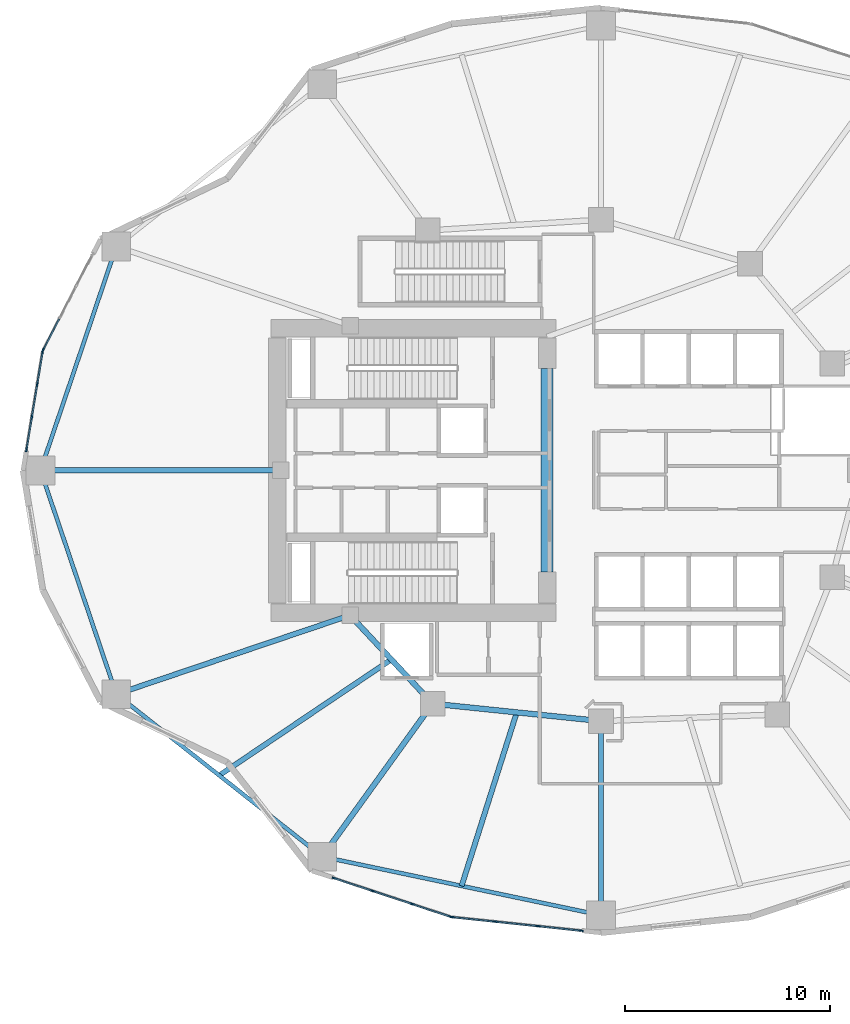
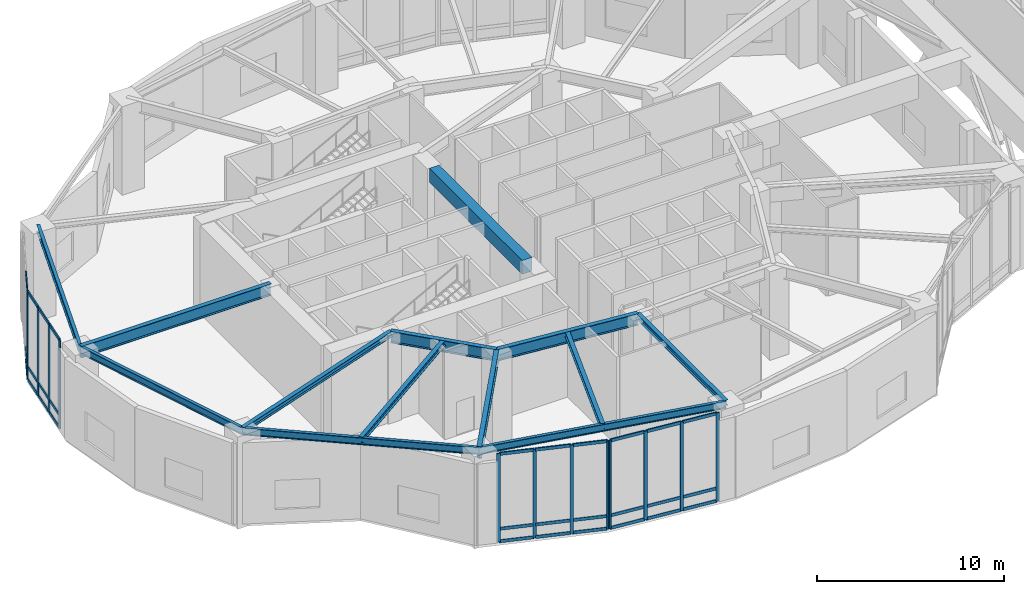
# One storey, part 5 of 25: 43 members, 13 beams, 4 elements without a shape of their own.
"""IFC4 building model written with IfcOpenShell, lengths in metres."""

from ifc_helpers import new_model, si_unit, direction, frame, origin, origin_2d, place, context, subcontext, project, spatial, rectangle, i_section, extrude, material, layer, layer_set, material_profile, profile_set, type_object, element, aggregate, save


model = new_model("IFC4")

# Units and contexts
model_context = context("Model", 3, precision=1e-05, world=origin(), true_north=direction((0.0, 1.0)))
body_context = subcontext(model_context, "Body", "Model", "MODEL_VIEW")
ifc_project = project(units=[si_unit("LENGTHUNIT", "METRE"), si_unit("AREAUNIT", "SQUARE_METRE"), si_unit("VOLUMEUNIT", "CUBIC_METRE"), si_unit("PLANEANGLEUNIT", "RADIAN"), si_unit("MASSUNIT", "GRAM", prefix="KILO")], contexts=[model_context])

# Site, building, storey
site_placement = place(None, origin())
site = spatial("IfcSite", under=ifc_project, at=site_placement, CompositionType="ELEMENT")
building_placement = place(site_placement, origin())
building = spatial("IfcBuilding", under=site, at=building_placement, Name="Kolvaren Gate Tower and Convention Centre", CompositionType="ELEMENT")
storey_placement = place(building_placement, frame((0.0, 0.0, 15.0)))
storey = spatial("IfcBuildingStorey", under=building, at=storey_placement, Name="L03", CompositionType="ELEMENT", Elevation=15.0)

# Curtain wall, member
ifc_material_1 = material(Name="Anodized Architectural Aluminium Alloy 6063-T6", Category="aluminium")
ifc_layer = layer(ifc_material_1, 0.179931640625)
ifc_layer_set = layer_set([ifc_layer], Name="Anodized Architectural Aluminium Alloy 6063-T6")
curtain_wall_type = type_object("IfcCurtainWallType", Name="CW-POD-GLZ", PredefinedType="NOTDEFINED", material=ifc_layer_set)
curtain_wall_1_placement = place(storey_placement, origin())
curtain_wall_1 = element("IfcCurtainWall", 1, at=curtain_wall_1_placement, inside=storey, type_object=curtain_wall_type, Name="Tower L03 Unitised Curtain Wall CW-POD-GLZ Bay 10", PredefinedType="NOTDEFINED")
ifc_material_profile_1 = material_profile(ifc_material_1, rectangle(XDim=0.074951171875, YDim=0.199951171875, at=origin_2d()), Name="CW-MEM-MUL-200")
ifc_profile_set_1 = profile_set([ifc_material_profile_1], Name="Anodized Architectural Aluminium Alloy 6063-T6")
member_type_1 = type_object("IfcMemberType", Name="CW-MEM-MUL-200", PredefinedType="MULLION", material=ifc_profile_set_1)
member_1_placement = place(storey_placement, frame((2.9755859375, 32.856689453125, 0.0), z_axis=(0.0, 0.0, 1.0), x_axis=(-0.888028058024, 0.459789264949, 0.0)))
member_1 = element("IfcMember", 2, at=member_1_placement, type_object=member_type_1, Name="CW-01 mullion 1", PredefinedType="MULLION", context=body_context, shape_type="SweptSolid", body=[
    extrude(rectangle(XDim=0.074951171875, YDim=0.199951171875, at=origin_2d()), origin(), (0.0, 0.0, 1.0), 5.760009765625),
])

# Curtain wall, members
curtain_wall_2_placement = place(storey_placement, origin())
curtain_wall_2 = element("IfcCurtainWall", 3, at=curtain_wall_2_placement, inside=storey, type_object=curtain_wall_type, Name="Tower L03 Unitised Curtain Wall CW-POD-GLZ Bay 11", PredefinedType="NOTDEFINED")
member_2_placement = place(storey_placement, frame((2.164794921875, 28.001953125, 0.0), z_axis=(0.0, 0.0, 1.0), x_axis=(-0.986728883059, 0.162376449454, 0.0)))
member_2 = element("IfcMember", 4, at=member_2_placement, type_object=member_type_1, Name="CW-01 mullion 1", PredefinedType="MULLION", context=body_context, shape_type="SweptSolid", body=[
    extrude(rectangle(XDim=0.074951171875, YDim=0.199951171875, at=origin_2d()), origin(), (0.0, 0.0, 1.0), 5.760009765625),
])
member_3_placement = place(storey_placement, frame((2.42529296875, 29.58447265625, 0.0), z_axis=(0.0, 0.0, 1.0), x_axis=(-0.986728883059, 0.162376449454, 0.0)))
member_3 = element("IfcMember", 5, at=member_3_placement, type_object=member_type_1, Name="CW-01 mullion 2", PredefinedType="MULLION", context=body_context, shape_type="SweptSolid", body=[
    extrude(rectangle(XDim=0.074951171875, YDim=0.199951171875, at=origin_2d()), origin(), (0.0, 0.0, 1.0), 5.760009765625),
])
member_4_placement = place(storey_placement, frame((2.69189453125, 31.203857421875, 0.0), z_axis=(0.0, 0.0, 1.0), x_axis=(-0.986728883059, 0.162376449454, 0.0)))
member_4 = element("IfcMember", 6, at=member_4_placement, type_object=member_type_1, Name="CW-01 mullion 3", PredefinedType="MULLION", context=body_context, shape_type="SweptSolid", body=[
    extrude(rectangle(XDim=0.074951171875, YDim=0.199951171875, at=origin_2d()), origin(), (0.0, 0.0, 1.0), 5.760009765625),
])
member_5_placement = place(storey_placement, frame((2.9521484375, 32.786376953125, 0.0), z_axis=(0.0, 0.0, 1.0), x_axis=(-0.986728883059, 0.162376449454, 0.0)))
member_5 = element("IfcMember", 7, at=member_5_placement, type_object=member_type_1, Name="CW-01 mullion 4", PredefinedType="MULLION", context=body_context, shape_type="SweptSolid", body=[
    extrude(rectangle(XDim=0.074951171875, YDim=0.199951171875, at=origin_2d()), origin(), (0.0, 0.0, 1.0), 5.760009765625),
])

curtain_wall_3_placement = place(storey_placement, origin())
curtain_wall_3 = element("IfcCurtainWall", 8, at=curtain_wall_3_placement, inside=storey, type_object=curtain_wall_type, Name="Tower L03 Unitised Curtain Wall CW-POD-GLZ Bay 16", PredefinedType="NOTDEFINED")
member_6_placement = place(storey_placement, frame((17.137451171875, 7.158203125, 0.0), z_axis=(0.0, 0.0, 1.0), x_axis=(0.314546537175, 0.949242053404, 0.0)))
member_6 = element("IfcMember", 9, at=member_6_placement, type_object=member_type_1, Name="CW-01 mullion 1", PredefinedType="MULLION", context=body_context, shape_type="SweptSolid", body=[
    extrude(rectangle(XDim=0.074951171875, YDim=0.199951171875, at=origin_2d()), origin(), (0.0, 0.0, 1.0), 5.760009765625),
])
member_7_placement = place(storey_placement, frame((19.0166015625, 6.53564453125, 0.0), z_axis=(0.0, 0.0, 1.0), x_axis=(0.314546537175, 0.949242053404, 0.0)))
member_7 = element("IfcMember", 10, at=member_7_placement, type_object=member_type_1, Name="CW-01 mullion 2", PredefinedType="MULLION", context=body_context, shape_type="SweptSolid", body=[
    extrude(rectangle(XDim=0.074951171875, YDim=0.199951171875, at=origin_2d()), origin(), (0.0, 0.0, 1.0), 5.760009765625),
])
member_8_placement = place(storey_placement, frame((20.93115234375, 5.901123046875, 0.0), z_axis=(0.0, 0.0, 1.0), x_axis=(0.314546537175, 0.949242053404, 0.0)))
member_8 = element("IfcMember", 11, at=member_8_placement, type_object=member_type_1, Name="CW-01 mullion 3", PredefinedType="MULLION", context=body_context, shape_type="SweptSolid", body=[
    extrude(rectangle(XDim=0.074951171875, YDim=0.199951171875, at=origin_2d()), origin(), (0.0, 0.0, 1.0), 5.760009765625),
])
member_9_placement = place(storey_placement, frame((22.81005859375, 5.278564453125, 0.0), z_axis=(0.0, 0.0, 1.0), x_axis=(0.314546537175, 0.949242053404, 0.0)))
member_9 = element("IfcMember", 12, at=member_9_placement, type_object=member_type_1, Name="CW-01 mullion 4", PredefinedType="MULLION", context=body_context, shape_type="SweptSolid", body=[
    extrude(rectangle(XDim=0.074951171875, YDim=0.199951171875, at=origin_2d()), origin(), (0.0, 0.0, 1.0), 5.760009765625),
])

curtain_wall_4_placement = place(storey_placement, origin())
curtain_wall_4 = element("IfcCurtainWall", 13, at=curtain_wall_4_placement, inside=storey, type_object=curtain_wall_type, Name="Tower L03 Unitised Curtain Wall CW-POD-GLZ Bay 17", PredefinedType="NOTDEFINED")
member_10_placement = place(storey_placement, frame((22.883056640625, 5.2626953125, 0.0), z_axis=(0.0, 0.0, 1.0), x_axis=(0.104741799872, 0.994499449653, 0.0)))
member_10 = element("IfcMember", 14, at=member_10_placement, type_object=member_type_1, Name="CW-01 mullion 1", PredefinedType="MULLION", context=body_context, shape_type="SweptSolid", body=[
    extrude(rectangle(XDim=0.074951171875, YDim=0.199951171875, at=origin_2d()), origin(), (0.0, 0.0, 1.0), 5.760009765625),
])
member_11_placement = place(storey_placement, frame((24.96435546875, 5.04345703125, 0.0), z_axis=(0.0, 0.0, 1.0), x_axis=(0.104741799872, 0.994499449653, 0.0)))
member_11 = element("IfcMember", 15, at=member_11_placement, type_object=member_type_1, Name="CW-01 mullion 2", PredefinedType="MULLION", context=body_context, shape_type="SweptSolid", body=[
    extrude(rectangle(XDim=0.074951171875, YDim=0.199951171875, at=origin_2d()), origin(), (0.0, 0.0, 1.0), 5.760009765625),
])
member_12_placement = place(storey_placement, frame((27.0830078125, 4.8203125, 0.0), z_axis=(0.0, 0.0, 1.0), x_axis=(0.104741799872, 0.994499449653, 0.0)))
member_12 = element("IfcMember", 16, at=member_12_placement, type_object=member_type_1, Name="CW-01 mullion 3", PredefinedType="MULLION", context=body_context, shape_type="SweptSolid", body=[
    extrude(rectangle(XDim=0.074951171875, YDim=0.199951171875, at=origin_2d()), origin(), (0.0, 0.0, 1.0), 5.760009765625),
])
member_13_placement = place(storey_placement, frame((29.164306640625, 4.601318359375, 0.0), z_axis=(0.0, 0.0, 1.0), x_axis=(0.104741799872, 0.994499449653, 0.0)))
member_13 = element("IfcMember", 17, at=member_13_placement, type_object=member_type_1, Name="CW-01 mullion 4", PredefinedType="MULLION", context=body_context, shape_type="SweptSolid", body=[
    extrude(rectangle(XDim=0.074951171875, YDim=0.199951171875, at=origin_2d()), origin(), (0.0, 0.0, 1.0), 5.760009765625),
])

# Member
ifc_material_profile_2 = material_profile(ifc_material_1, rectangle(XDim=0.074951171875, YDim=0.199951171875, at=origin_2d()), Name="CW-MEM-TRN-200")
ifc_profile_set_2 = profile_set([ifc_material_profile_2], Name="Anodized Architectural Aluminium Alloy 6063-T6")
member_type_2 = type_object("IfcMemberType", Name="CW-MEM-TRN-200", PredefinedType="USERDEFINED", material=ifc_profile_set_2)
member_14_placement = place(storey_placement, frame((2.99267578125, 32.889892578125, 0.03759765625), z_axis=(0.459779568352, 0.888033078509, 0.0), x_axis=(-0.888033078509, 0.459779568352, 0.0)))
member_14 = element("IfcMember", 18, at=member_14_placement, type_object=member_type_2, Name="CW-01 transom 1.1", ObjectType="TRANSOM", PredefinedType="USERDEFINED", context=body_context, shape_type="SweptSolid", body=[
    extrude(rectangle(XDim=0.074951171875, YDim=0.199951171875, at=origin_2d()), origin(), (0.0, 0.0, 1.0), 1.6572265625),
])

member_15_placement = place(storey_placement, frame((2.99267578125, 32.889892578125, 0.85009765625), z_axis=(0.459779568352, 0.888033078509, 0.0), x_axis=(-0.888033078509, 0.459779568352, 0.0)))
member_15 = element("IfcMember", 19, at=member_15_placement, type_object=member_type_2, Name="CW-01 transom 1.2", ObjectType="TRANSOM", PredefinedType="USERDEFINED", context=body_context, shape_type="SweptSolid", body=[
    extrude(rectangle(XDim=0.074951171875, YDim=0.199951171875, at=origin_2d()), origin(), (0.0, 0.0, 1.0), 1.6572265625),
])

member_16_placement = place(storey_placement, frame((2.99267578125, 32.889892578125, 5.722412109375), z_axis=(0.459779568352, 0.888033078509, 0.0), x_axis=(-0.888033078509, 0.459779568352, 0.0)))
member_16 = element("IfcMember", 20, at=member_16_placement, type_object=member_type_2, Name="CW-01 transom 1.3", ObjectType="TRANSOM", PredefinedType="USERDEFINED", context=body_context, shape_type="SweptSolid", body=[
    extrude(rectangle(XDim=0.074951171875, YDim=0.199951171875, at=origin_2d()), origin(), (0.0, 0.0, 1.0), 1.6572265625),
])

aggregate(curtain_wall_1, [member_1, member_14, member_15, member_16])

member_17_placement = place(storey_placement, frame((2.1708984375, 28.0390625, 0.03759765625), z_axis=(0.162430279012, 0.98672002334, 0.0), x_axis=(-0.98672002334, 0.162430279012, 0.0)))
member_17 = element("IfcMember", 21, at=member_17_placement, type_object=member_type_2, Name="CW-01 transom 1.1", ObjectType="TRANSOM", PredefinedType="USERDEFINED", context=body_context, shape_type="SweptSolid", body=[
    extrude(rectangle(XDim=0.074951171875, YDim=0.199951171875, at=origin_2d()), origin(), (0.0, 0.0, 1.0), 1.528564453125),
])

member_18_placement = place(storey_placement, frame((2.1708984375, 28.0390625, 0.85009765625), z_axis=(0.162430279012, 0.98672002334, 0.0), x_axis=(-0.98672002334, 0.162430279012, 0.0)))
member_18 = element("IfcMember", 22, at=member_18_placement, type_object=member_type_2, Name="CW-01 transom 1.2", ObjectType="TRANSOM", PredefinedType="USERDEFINED", context=body_context, shape_type="SweptSolid", body=[
    extrude(rectangle(XDim=0.074951171875, YDim=0.199951171875, at=origin_2d()), origin(), (0.0, 0.0, 1.0), 1.528564453125),
])

member_19_placement = place(storey_placement, frame((2.1708984375, 28.0390625, 5.722412109375), z_axis=(0.162430279012, 0.98672002334, 0.0), x_axis=(-0.98672002334, 0.162430279012, 0.0)))
member_19 = element("IfcMember", 23, at=member_19_placement, type_object=member_type_2, Name="CW-01 transom 1.3", ObjectType="TRANSOM", PredefinedType="USERDEFINED", context=body_context, shape_type="SweptSolid", body=[
    extrude(rectangle(XDim=0.074951171875, YDim=0.199951171875, at=origin_2d()), origin(), (0.0, 0.0, 1.0), 1.528564453125),
])

member_20_placement = place(storey_placement, frame((2.431396484375, 29.62158203125, 0.03759765625), z_axis=(0.162426987198, 0.986720565221, 0.0), x_axis=(-0.986720565221, 0.162426987198, 0.0)))
member_20 = element("IfcMember", 24, at=member_20_placement, type_object=member_type_2, Name="CW-01 transom 2.1", ObjectType="TRANSOM", PredefinedType="USERDEFINED", context=body_context, shape_type="SweptSolid", body=[
    extrude(rectangle(XDim=0.074951171875, YDim=0.199951171875, at=origin_2d()), origin(), (0.0, 0.0, 1.0), 1.566162109375),
])

member_21_placement = place(storey_placement, frame((2.431396484375, 29.62158203125, 0.85009765625), z_axis=(0.162426987198, 0.986720565221, 0.0), x_axis=(-0.986720565221, 0.162426987198, 0.0)))
member_21 = element("IfcMember", 25, at=member_21_placement, type_object=member_type_2, Name="CW-01 transom 2.2", ObjectType="TRANSOM", PredefinedType="USERDEFINED", context=body_context, shape_type="SweptSolid", body=[
    extrude(rectangle(XDim=0.074951171875, YDim=0.199951171875, at=origin_2d()), origin(), (0.0, 0.0, 1.0), 1.566162109375),
])

member_22_placement = place(storey_placement, frame((2.431396484375, 29.62158203125, 5.722412109375), z_axis=(0.162426987198, 0.986720565221, 0.0), x_axis=(-0.986720565221, 0.162426987198, 0.0)))
member_22 = element("IfcMember", 26, at=member_22_placement, type_object=member_type_2, Name="CW-01 transom 2.3", ObjectType="TRANSOM", PredefinedType="USERDEFINED", context=body_context, shape_type="SweptSolid", body=[
    extrude(rectangle(XDim=0.074951171875, YDim=0.199951171875, at=origin_2d()), origin(), (0.0, 0.0, 1.0), 1.566162109375),
])

member_23_placement = place(storey_placement, frame((2.697998046875, 31.240966796875, 0.03759765625), z_axis=(0.162249200801, 0.986749814715, 0.0), x_axis=(-0.986749814715, 0.162249200801, 0.0)))
member_23 = element("IfcMember", 27, at=member_23_placement, type_object=member_type_2, Name="CW-01 transom 3.1", ObjectType="TRANSOM", PredefinedType="USERDEFINED", context=body_context, shape_type="SweptSolid", body=[
    extrude(rectangle(XDim=0.074951171875, YDim=0.199951171875, at=origin_2d()), origin(), (0.0, 0.0, 1.0), 1.52880859375),
])

member_24_placement = place(storey_placement, frame((2.697998046875, 31.240966796875, 0.85009765625), z_axis=(0.162249200801, 0.986749814715, 0.0), x_axis=(-0.986749814715, 0.162249200801, 0.0)))
member_24 = element("IfcMember", 28, at=member_24_placement, type_object=member_type_2, Name="CW-01 transom 3.2", ObjectType="TRANSOM", PredefinedType="USERDEFINED", context=body_context, shape_type="SweptSolid", body=[
    extrude(rectangle(XDim=0.074951171875, YDim=0.199951171875, at=origin_2d()), origin(), (0.0, 0.0, 1.0), 1.52880859375),
])

member_25_placement = place(storey_placement, frame((2.697998046875, 31.240966796875, 5.722412109375), z_axis=(0.162249200801, 0.986749814715, 0.0), x_axis=(-0.986749814715, 0.162249200801, 0.0)))
member_25 = element("IfcMember", 29, at=member_25_placement, type_object=member_type_2, Name="CW-01 transom 3.3", ObjectType="TRANSOM", PredefinedType="USERDEFINED", context=body_context, shape_type="SweptSolid", body=[
    extrude(rectangle(XDim=0.074951171875, YDim=0.199951171875, at=origin_2d()), origin(), (0.0, 0.0, 1.0), 1.52880859375),
])

aggregate(curtain_wall_2, [member_2, member_3, member_4, member_5, member_17, member_18, member_19, member_20, member_21, member_22, member_23, member_24, member_25])

member_26_placement = place(storey_placement, frame((17.173095703125, 7.146484375, 0.03759765625), z_axis=(0.949233065789, -0.314573658804, 0.0), x_axis=(0.314573658804, 0.949233065789, 0.0)))
member_26 = element("IfcMember", 30, at=member_26_placement, type_object=member_type_2, Name="CW-01 transom 1.1", ObjectType="TRANSOM", PredefinedType="USERDEFINED", context=body_context, shape_type="SweptSolid", body=[
    extrude(rectangle(XDim=0.074951171875, YDim=0.199951171875, at=origin_2d()), origin(), (0.0, 0.0, 1.0), 1.904541015625),
])

member_27_placement = place(storey_placement, frame((17.173095703125, 7.146484375, 0.85009765625), z_axis=(0.949233065789, -0.314573658804, 0.0), x_axis=(0.314573658804, 0.949233065789, 0.0)))
member_27 = element("IfcMember", 31, at=member_27_placement, type_object=member_type_2, Name="CW-01 transom 1.2", ObjectType="TRANSOM", PredefinedType="USERDEFINED", context=body_context, shape_type="SweptSolid", body=[
    extrude(rectangle(XDim=0.074951171875, YDim=0.199951171875, at=origin_2d()), origin(), (0.0, 0.0, 1.0), 1.904541015625),
])

member_28_placement = place(storey_placement, frame((17.173095703125, 7.146484375, 5.722412109375), z_axis=(0.949233065789, -0.314573658804, 0.0), x_axis=(0.314573658804, 0.949233065789, 0.0)))
member_28 = element("IfcMember", 32, at=member_28_placement, type_object=member_type_2, Name="CW-01 transom 1.3", ObjectType="TRANSOM", PredefinedType="USERDEFINED", context=body_context, shape_type="SweptSolid", body=[
    extrude(rectangle(XDim=0.074951171875, YDim=0.199951171875, at=origin_2d()), origin(), (0.0, 0.0, 1.0), 1.904541015625),
])

member_29_placement = place(storey_placement, frame((19.052001953125, 6.523681640625, 0.03759765625), z_axis=(0.949247481786, -0.314530154871, 0.0), x_axis=(0.314530154871, 0.949247481786, 0.0)))
member_29 = element("IfcMember", 33, at=member_29_placement, type_object=member_type_2, Name="CW-01 transom 2.1", ObjectType="TRANSOM", PredefinedType="USERDEFINED", context=body_context, shape_type="SweptSolid", body=[
    extrude(rectangle(XDim=0.074951171875, YDim=0.199951171875, at=origin_2d()), origin(), (0.0, 0.0, 1.0), 1.942138671875),
])

member_30_placement = place(storey_placement, frame((19.052001953125, 6.523681640625, 0.85009765625), z_axis=(0.949247481786, -0.314530154871, 0.0), x_axis=(0.314530154871, 0.949247481786, 0.0)))
member_30 = element("IfcMember", 34, at=member_30_placement, type_object=member_type_2, Name="CW-01 transom 2.2", ObjectType="TRANSOM", PredefinedType="USERDEFINED", context=body_context, shape_type="SweptSolid", body=[
    extrude(rectangle(XDim=0.074951171875, YDim=0.199951171875, at=origin_2d()), origin(), (0.0, 0.0, 1.0), 1.942138671875),
])

member_31_placement = place(storey_placement, frame((19.052001953125, 6.523681640625, 5.722412109375), z_axis=(0.949247481786, -0.314530154871, 0.0), x_axis=(0.314530154871, 0.949247481786, 0.0)))
member_31 = element("IfcMember", 35, at=member_31_placement, type_object=member_type_2, Name="CW-01 transom 2.3", ObjectType="TRANSOM", PredefinedType="USERDEFINED", context=body_context, shape_type="SweptSolid", body=[
    extrude(rectangle(XDim=0.074951171875, YDim=0.199951171875, at=origin_2d()), origin(), (0.0, 0.0, 1.0), 1.942138671875),
])

member_32_placement = place(storey_placement, frame((20.966796875, 5.889404296875, 0.03759765625), z_axis=(0.949220378414, -0.314611940657, 0.0), x_axis=(0.314611940657, 0.949220378414, 0.0)))
member_32 = element("IfcMember", 36, at=member_32_placement, type_object=member_type_2, Name="CW-01 transom 3.1", ObjectType="TRANSOM", PredefinedType="USERDEFINED", context=body_context, shape_type="SweptSolid", body=[
    extrude(rectangle(XDim=0.074951171875, YDim=0.199951171875, at=origin_2d()), origin(), (0.0, 0.0, 1.0), 1.904296875),
])

member_33_placement = place(storey_placement, frame((20.966796875, 5.889404296875, 0.85009765625), z_axis=(0.949220378414, -0.314611940657, 0.0), x_axis=(0.314611940657, 0.949220378414, 0.0)))
member_33 = element("IfcMember", 37, at=member_33_placement, type_object=member_type_2, Name="CW-01 transom 3.2", ObjectType="TRANSOM", PredefinedType="USERDEFINED", context=body_context, shape_type="SweptSolid", body=[
    extrude(rectangle(XDim=0.074951171875, YDim=0.199951171875, at=origin_2d()), origin(), (0.0, 0.0, 1.0), 1.904296875),
])

member_34_placement = place(storey_placement, frame((20.966796875, 5.889404296875, 5.722412109375), z_axis=(0.949220378414, -0.314611940657, 0.0), x_axis=(0.314611940657, 0.949220378414, 0.0)))
member_34 = element("IfcMember", 38, at=member_34_placement, type_object=member_type_2, Name="CW-01 transom 3.3", ObjectType="TRANSOM", PredefinedType="USERDEFINED", context=body_context, shape_type="SweptSolid", body=[
    extrude(rectangle(XDim=0.074951171875, YDim=0.199951171875, at=origin_2d()), origin(), (0.0, 0.0, 1.0), 1.904296875),
])

aggregate(curtain_wall_3, [member_6, member_7, member_8, member_9, member_26, member_27, member_28, member_29, member_30, member_31, member_32, member_33, member_34])

member_35_placement = place(storey_placement, frame((22.920166015625, 5.2587890625, 0.03759765625), z_axis=(0.994508767121, -0.104653294837, 0.0), x_axis=(0.104653294837, 0.994508767121, 0.0)))
member_35 = element("IfcMember", 39, at=member_35_placement, type_object=member_type_2, Name="CW-01 transom 1.1", ObjectType="TRANSOM", PredefinedType="USERDEFINED", context=body_context, shape_type="SweptSolid", body=[
    extrude(rectangle(XDim=0.074951171875, YDim=0.199951171875, at=origin_2d()), origin(), (0.0, 0.0, 1.0), 2.017822265625),
])

member_36_placement = place(storey_placement, frame((22.920166015625, 5.2587890625, 0.85009765625), z_axis=(0.994508767121, -0.104653294837, 0.0), x_axis=(0.104653294837, 0.994508767121, 0.0)))
member_36 = element("IfcMember", 40, at=member_36_placement, type_object=member_type_2, Name="CW-01 transom 1.2", ObjectType="TRANSOM", PredefinedType="USERDEFINED", context=body_context, shape_type="SweptSolid", body=[
    extrude(rectangle(XDim=0.074951171875, YDim=0.199951171875, at=origin_2d()), origin(), (0.0, 0.0, 1.0), 2.017822265625),
])

member_37_placement = place(storey_placement, frame((22.920166015625, 5.2587890625, 5.722412109375), z_axis=(0.994508767121, -0.104653294837, 0.0), x_axis=(0.104653294837, 0.994508767121, 0.0)))
member_37 = element("IfcMember", 41, at=member_37_placement, type_object=member_type_2, Name="CW-01 transom 1.3", ObjectType="TRANSOM", PredefinedType="USERDEFINED", context=body_context, shape_type="SweptSolid", body=[
    extrude(rectangle(XDim=0.074951171875, YDim=0.199951171875, at=origin_2d()), origin(), (0.0, 0.0, 1.0), 2.017822265625),
])

member_38_placement = place(storey_placement, frame((25.001708984375, 5.03955078125, 0.03759765625), z_axis=(0.994508706958, -0.104653866559, 0.0), x_axis=(0.104653866559, 0.994508706958, 0.0)))
member_38 = element("IfcMember", 42, at=member_38_placement, type_object=member_type_2, Name="CW-01 transom 2.1", ObjectType="TRANSOM", PredefinedType="USERDEFINED", context=body_context, shape_type="SweptSolid", body=[
    extrude(rectangle(XDim=0.074951171875, YDim=0.199951171875, at=origin_2d()), origin(), (0.0, 0.0, 1.0), 2.05517578125),
])

member_39_placement = place(storey_placement, frame((25.001708984375, 5.03955078125, 0.85009765625), z_axis=(0.994508706958, -0.104653866559, 0.0), x_axis=(0.104653866559, 0.994508706958, 0.0)))
member_39 = element("IfcMember", 43, at=member_39_placement, type_object=member_type_2, Name="CW-01 transom 2.2", ObjectType="TRANSOM", PredefinedType="USERDEFINED", context=body_context, shape_type="SweptSolid", body=[
    extrude(rectangle(XDim=0.074951171875, YDim=0.199951171875, at=origin_2d()), origin(), (0.0, 0.0, 1.0), 2.05517578125),
])

member_40_placement = place(storey_placement, frame((25.001708984375, 5.03955078125, 5.722412109375), z_axis=(0.994508706958, -0.104653866559, 0.0), x_axis=(0.104653866559, 0.994508706958, 0.0)))
member_40 = element("IfcMember", 44, at=member_40_placement, type_object=member_type_2, Name="CW-01 transom 2.3", ObjectType="TRANSOM", PredefinedType="USERDEFINED", context=body_context, shape_type="SweptSolid", body=[
    extrude(rectangle(XDim=0.074951171875, YDim=0.199951171875, at=origin_2d()), origin(), (0.0, 0.0, 1.0), 2.05517578125),
])

member_41_placement = place(storey_placement, frame((27.1201171875, 4.81640625, 0.03759765625), z_axis=(0.994508767121, -0.104653294837, 0.0), x_axis=(0.104653294837, 0.994508767121, 0.0)))
member_41 = element("IfcMember", 45, at=member_41_placement, type_object=member_type_2, Name="CW-01 transom 3.1", ObjectType="TRANSOM", PredefinedType="USERDEFINED", context=body_context, shape_type="SweptSolid", body=[
    extrude(rectangle(XDim=0.074951171875, YDim=0.199951171875, at=origin_2d()), origin(), (0.0, 0.0, 1.0), 2.017822265625),
])

member_42_placement = place(storey_placement, frame((27.1201171875, 4.81640625, 0.85009765625), z_axis=(0.994508767121, -0.104653294837, 0.0), x_axis=(0.104653294837, 0.994508767121, 0.0)))
member_42 = element("IfcMember", 46, at=member_42_placement, type_object=member_type_2, Name="CW-01 transom 3.2", ObjectType="TRANSOM", PredefinedType="USERDEFINED", context=body_context, shape_type="SweptSolid", body=[
    extrude(rectangle(XDim=0.074951171875, YDim=0.199951171875, at=origin_2d()), origin(), (0.0, 0.0, 1.0), 2.017822265625),
])

member_43_placement = place(storey_placement, frame((27.1201171875, 4.81640625, 5.722412109375), z_axis=(0.994508767121, -0.104653294837, 0.0), x_axis=(0.104653294837, 0.994508767121, 0.0)))
member_43 = element("IfcMember", 47, at=member_43_placement, type_object=member_type_2, Name="CW-01 transom 3.3", ObjectType="TRANSOM", PredefinedType="USERDEFINED", context=body_context, shape_type="SweptSolid", body=[
    extrude(rectangle(XDim=0.074951171875, YDim=0.199951171875, at=origin_2d()), origin(), (0.0, 0.0, 1.0), 2.017822265625),
])

aggregate(curtain_wall_4, [member_10, member_11, member_12, member_13, member_35, member_36, member_37, member_38, member_39, member_40, member_41, member_42, member_43])

# Beams
ifc_material_2 = material(Name="Structural steel ASTM A992 Grade 345 MPa", Category="steel")
ifc_material_profile_3 = material_profile(ifc_material_2, i_section(OverallWidth=0.26806640625, OverallDepth=0.758056640625, WebThickness=0.016357421875, FlangeThickness=0.025390625, at=origin_2d()), Name="W760X220")
ifc_profile_set_3 = profile_set([ifc_material_profile_3], Name="Structural steel ASTM A992 Grade 345 MPa")
beam_type_1 = type_object("IfcBeamType", Name="STR-BM-W760X220", PredefinedType="BEAM", material=ifc_profile_set_3)
beam_1_placement = place(storey_placement, frame((17.9140625, 19.949951171875, 5.381103515625), z_axis=(0.682557592987, -0.730831808459, 0.0), x_axis=(0.730831808459, 0.682557592987, 0.0)))
element("IfcBeam", 48, at=beam_1_placement, inside=storey, type_object=beam_type_1, Name="Tower L03 Primary Ring Girder G-06", PredefinedType="BEAM", context=body_context, shape_type="SweptSolid", body=[
    extrude(i_section(OverallWidth=0.26806640625, OverallDepth=0.758056640625, WebThickness=0.016357421875, FlangeThickness=0.025390625, at=origin_2d()), origin(), (0.0, 0.0, 1.0), 5.88671875),
])
beam_2_placement = place(storey_placement, frame((21.93212890625, 15.647705078125, 5.381103515625), z_axis=(0.994690329115, -0.102913308978, 0.0), x_axis=(0.102913308978, 0.994690329115, 0.0)))
element("IfcBeam", 49, at=beam_2_placement, inside=storey, type_object=beam_type_1, Name="Tower L03 Primary Ring Girder G-07", PredefinedType="BEAM", context=body_context, shape_type="SweptSolid", body=[
    extrude(i_section(OverallWidth=0.26806640625, OverallDepth=0.758056640625, WebThickness=0.016357421875, FlangeThickness=0.025390625, at=origin_2d()), origin(), (0.0, 0.0, 1.0), 8.236572265625),
])
beam_3_placement = place(storey_placement, frame((14.550048828125, 27.0, 5.381103515625), z_axis=(-1.0, 0.0, 0.0), x_axis=(0.0, -1.0, 0.0)))
element("IfcBeam", 50, at=beam_3_placement, inside=storey, type_object=beam_type_1, Name="Tower L03 Radial Floor Girder RB-07", PredefinedType="BEAM", context=body_context, shape_type="SweptSolid", body=[
    extrude(i_section(OverallWidth=0.26806640625, OverallDepth=0.758056640625, WebThickness=0.016357421875, FlangeThickness=0.025390625, at=origin_2d()), origin(), (0.0, 0.0, 1.0), 11.699951171875),
])
beam_4_placement = place(storey_placement, frame((21.93212890625, 15.647705078125, 5.381103515625), z_axis=(-0.585206018873, -0.810884649919, 0.0), x_axis=(0.810884649919, -0.585206018873, 0.0)))
element("IfcBeam", 51, at=beam_4_placement, inside=storey, type_object=beam_type_1, Name="Tower L03 Radial Floor Girder RB-09", PredefinedType="BEAM", context=body_context, shape_type="SweptSolid", body=[
    extrude(i_section(OverallWidth=0.26806640625, OverallDepth=0.758056640625, WebThickness=0.016357421875, FlangeThickness=0.025390625, at=origin_2d()), origin(), (0.0, 0.0, 1.0), 9.18017578125),
])
ifc_material_profile_4 = material_profile(ifc_material_2, i_section(OverallWidth=0.2548828125, OverallDepth=0.35693359375, WebThickness=0.010498046875, FlangeThickness=0.018310546875, at=origin_2d()), Name="W360X101")
ifc_profile_set_4 = profile_set([ifc_material_profile_4], Name="Structural steel ASTM A992 Grade 345 MPa")
beam_type_2 = type_object("IfcBeamType", Name="STR-JS-W360X101", PredefinedType="JOIST", material=ifc_profile_set_4)
beam_5_placement = place(storey_placement, frame((17.9140625, 19.949951171875, 5.58154296875), z_axis=(-0.947373842609, -0.320129352512, 0.0), x_axis=(0.320129352512, -0.947373842609, 0.0)))
element("IfcBeam", 52, at=beam_5_placement, inside=storey, type_object=beam_type_2, Name="Tower L03 Radial Floor Girder RB-08", PredefinedType="JOIST", context=body_context, shape_type="SweptSolid", body=[
    extrude(i_section(OverallWidth=0.2548828125, OverallDepth=0.35693359375, WebThickness=0.010498046875, FlangeThickness=0.018310546875, at=origin_2d()), origin(), (0.0, 0.0, 1.0), 12.006103515625),
])
beam_6_placement = place(storey_placement, frame((30.125, 14.800048828125, 5.58154296875), z_axis=(0.0, -1.0, 0.0), x_axis=(1.0, 0.0, 0.0)))
element("IfcBeam", 53, at=beam_6_placement, inside=storey, type_object=beam_type_2, Name="Tower L03 Radial Floor Girder RB-10", PredefinedType="JOIST", context=body_context, shape_type="SweptSolid", body=[
    extrude(i_section(OverallWidth=0.2548828125, OverallDepth=0.35693359375, WebThickness=0.010498046875, FlangeThickness=0.018310546875, at=origin_2d()), origin(), (0.0, 0.0, 1.0), 9.449951171875),
])
beam_7_placement = place(storey_placement, frame((19.923095703125, 17.798828125, 5.58154296875), z_axis=(-0.829223797874, -0.558916713866, 0.0), x_axis=(0.558916713866, -0.829223797874, 0.0)))
element("IfcBeam", 54, at=beam_7_placement, inside=storey, type_object=beam_type_2, Name="Tower L03 Secondary Composite Floor Joist J-08.1", PredefinedType="JOIST", context=body_context, shape_type="SweptSolid", body=[
    extrude(i_section(OverallWidth=0.2548828125, OverallDepth=0.35693359375, WebThickness=0.010498046875, FlangeThickness=0.018310546875, at=origin_2d()), origin(), (0.0, 0.0, 1.0), 10.09765625),
])
beam_8_placement = place(storey_placement, frame((26.028564453125, 15.223876953125, 5.58154296875), z_axis=(-0.303059270932, -0.952971709078, 0.0), x_axis=(0.952971709078, -0.303059270932, 0.0)))
element("IfcBeam", 55, at=beam_8_placement, inside=storey, type_object=beam_type_2, Name="Tower L03 Secondary Composite Floor Joist J-09.1", PredefinedType="JOIST", context=body_context, shape_type="SweptSolid", body=[
    extrude(i_section(OverallWidth=0.2548828125, OverallDepth=0.35693359375, WebThickness=0.010498046875, FlangeThickness=0.018310546875, at=origin_2d()), origin(), (0.0, 0.0, 1.0), 8.86376953125),
])
ifc_material_3 = material(Name="Concrete C60/75", Category="concrete")
ifc_material_profile_5 = material_profile(ifc_material_3, rectangle(XDim=0.60009765625, YDim=0.89990234375, at=origin_2d()), Name="RC-BM-600X900")
ifc_profile_set_5 = profile_set([ifc_material_profile_5], Name="Concrete C60/75")
beam_type_3 = type_object("IfcBeamType", Name="STR-LN-RC600X900", PredefinedType="LINTEL", material=ifc_profile_set_5)
beam_9_placement = place(storey_placement, frame((27.5, 22.050048828125, 5.31005859375), z_axis=(0.0, 1.0, 0.0), x_axis=(-1.0, 0.0, 0.0)))
element("IfcBeam", 56, at=beam_9_placement, inside=storey, type_object=beam_type_3, Name="Tower L03 Core Ductile Coupling Beam CB-01", PredefinedType="LINTEL", context=body_context, shape_type="SweptSolid", body=[
    extrude(rectangle(XDim=0.60009765625, YDim=0.89990234375, at=origin_2d()), origin(), (0.0, 0.0, 1.0), 9.89990234375),
])
ifc_material_profile_6 = material_profile(ifc_material_2, i_section(OverallWidth=0.194091796875, OverallDepth=0.468994140625, WebThickness=0.0126953125, FlangeThickness=0.0205078125, at=origin_2d()), Name="W460X106")
ifc_profile_set_6 = profile_set([ifc_material_profile_6], Name="Structural steel ASTM A992 Grade 345 MPa")
beam_type_4 = type_object("IfcBeamType", Name="STR-SP-W460X106", PredefinedType="SPANDREL", material=ifc_profile_set_6)
for number, where, z_axis, x_axis, name in (
    (57, (6.539794921875, 37.8935546875, 5.525390625), (-0.320802733798, -0.947146032029, 0.0), (0.947146032029, -0.320802733798, 0.0), "Tower L03 Perimeter Spandrel Beam SP-06"),
    (58, (2.85009765625, 27.0, 5.525390625), (0.320802733798, -0.947146032029, 0.0), (0.947146032029, 0.320802733798, 0.0), "Tower L03 Perimeter Spandrel Beam SP-07"),
):
    element("IfcBeam", number, at=place(storey_placement, frame(where, z_axis=z_axis, x_axis=x_axis)), inside=storey, type_object=beam_type_4, Name=name, PredefinedType="SPANDREL", context=body_context, shape_type="SweptSolid", body=[
        extrude(i_section(OverallWidth=0.194091796875, OverallDepth=0.468994140625, WebThickness=0.0126953125, FlangeThickness=0.0205078125, at=origin_2d()), origin(), (0.0, 0.0, 1.0), 11.50146484375),
    ])
beam_10_placement = place(storey_placement, frame((6.539794921875, 16.1064453125, 5.525390625), z_axis=(0.785176498861, -0.619272044933, 0.0), x_axis=(0.619272044933, 0.785176498861, 0.0)))
element("IfcBeam", 59, at=beam_10_placement, inside=storey, type_object=beam_type_4, Name="Tower L03 Perimeter Spandrel Beam SP-08", PredefinedType="SPANDREL", context=body_context, shape_type="SweptSolid", body=[
    extrude(i_section(OverallWidth=0.194091796875, OverallDepth=0.468994140625, WebThickness=0.0126953125, FlangeThickness=0.0205078125, at=origin_2d()), origin(), (0.0, 0.0, 1.0), 12.761474609375),
])
beam_11_placement = place(storey_placement, frame((16.559814453125, 8.20361328125, 5.525390625), z_axis=(0.978583407863, -0.205850707685, 0.0), x_axis=(0.205850707685, 0.978583407863, 0.0)))
element("IfcBeam", 60, at=beam_11_placement, inside=storey, type_object=beam_type_4, Name="Tower L03 Perimeter Spandrel Beam SP-09", PredefinedType="SPANDREL", context=body_context, shape_type="SweptSolid", body=[
    extrude(i_section(OverallWidth=0.194091796875, OverallDepth=0.468994140625, WebThickness=0.0126953125, FlangeThickness=0.0205078125, at=origin_2d()), origin(), (0.0, 0.0, 1.0), 13.862060546875),
])

save(model, "model.ifc")
